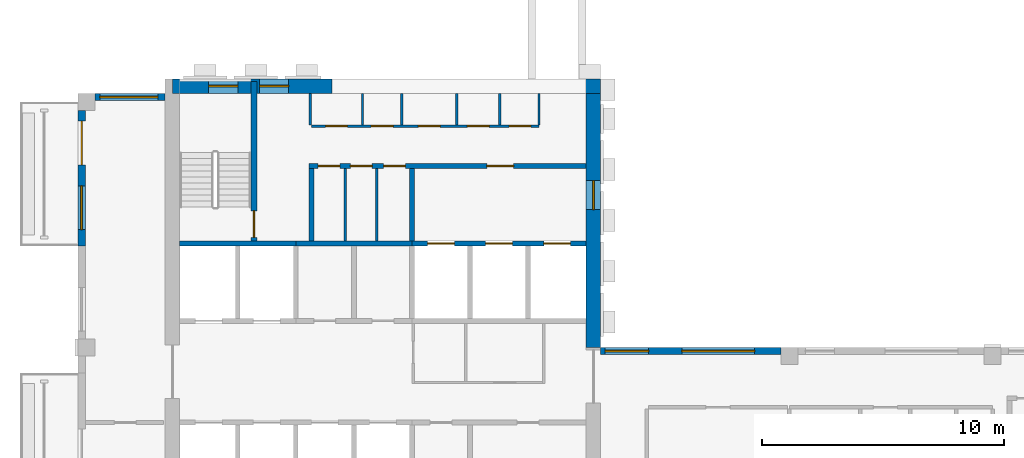
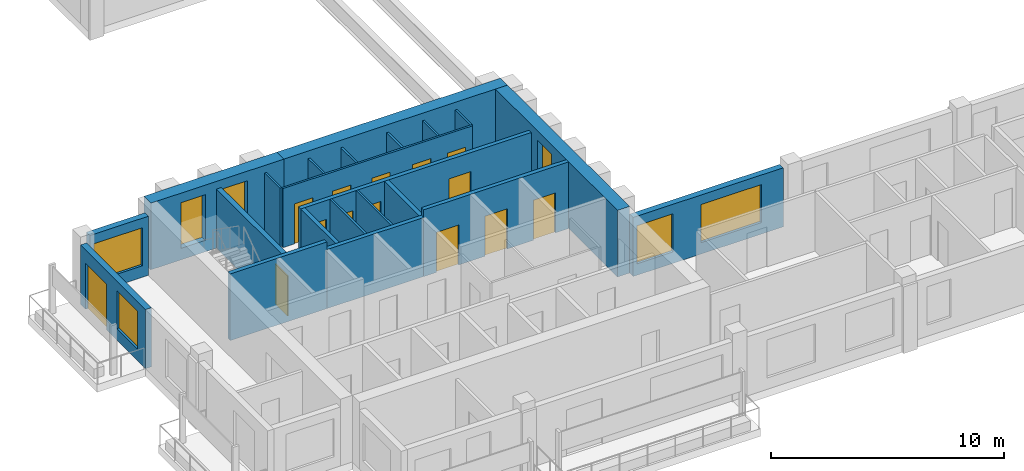
# One storey, part 3 of 9: 22 walls, 14 doors, 7 windows, 21 openings.
"""IFC4 building model written with IfcOpenShell, lengths in metres."""

from ifc_helpers import new_model, si_unit, direction, frame, frame_2d, origin, place, context, subcontext, project, spatial, rectangle, extrude, source, transform, mapped, material, layer, layer_set, type_object, element, fill, save


model = new_model("IFC4")

# Units and contexts
model_context = context("Model", 3, precision=1e-05, world=origin(), true_north=direction((0.0, 1.0)))
body_context = subcontext(model_context, "Body", "Model", "MODEL_VIEW")
ifc_project = project(units=[si_unit("LENGTHUNIT", "METRE"), si_unit("AREAUNIT", "SQUARE_METRE"), si_unit("VOLUMEUNIT", "CUBIC_METRE"), si_unit("PLANEANGLEUNIT", "RADIAN"), si_unit("MASSUNIT", "GRAM", prefix="KILO")], contexts=[model_context])

# Site, building, storey
site_placement = place(None, origin())
site = spatial("IfcSite", under=ifc_project, at=site_placement, CompositionType="ELEMENT")
building_placement = place(site_placement, origin())
building = spatial("IfcBuilding", under=site, at=building_placement, Name="Aurelian Terraces", CompositionType="ELEMENT")
storey_placement = place(building_placement, frame((0.0, 0.0, 312.5)))
storey = spatial("IfcBuildingStorey", under=building, at=storey_placement, Name="L72", CompositionType="ELEMENT", Elevation=312.5)

# Wall
ifc_material_1 = material(Name="Concrete fc' 55 MPa", Category="concrete")
ifc_layer_1 = layer(ifc_material_1, 0.6)
ifc_layer_set_1 = layer_set([ifc_layer_1], Name="CORE WALL 600 FC55")
wall_type_1 = type_object("IfcWallType", Name="CORE WALL 600 FC55", PredefinedType="SHEAR", material=ifc_layer_set_1)
shared_shape_1 = source(origin(), body_context, "Body", "SweptSolid", [
    extrude(rectangle(XDim=11.1, YDim=0.6, at=frame_2d((5.55, 0.0))), origin(), (0.0, 0.0, 1.0), 3.5),
])
wall_1_placement = place(storey_placement, frame((10.5, 21.3, 0.0), z_axis=(0.0, 0.0, 1.0), x_axis=(1.0, 0.0, 0.0)))
element("IfcWall", 1, at=wall_1_placement, inside=storey, type_object=wall_type_1, Name="Core wall N L72", PredefinedType="SHEAR", context=body_context, shape_type="MappedRepresentation", body=[
    mapped(shared_shape_1, transform((0.0, 0.0, 0.0), scale=1.0)),
])

# Wall, opening, window
shared_shape_2 = source(origin(), body_context, "Body", "SweptSolid", [
    extrude(rectangle(XDim=10.5, YDim=0.6, at=frame_2d((5.25, 0.0))), origin(), (0.0, 0.0, 1.0), 3.5),
])
wall_2_placement = place(storey_placement, frame((21.3, 10.5, 0.0), z_axis=(0.0, 0.0, 1.0), x_axis=(0.0, 1.0, 0.0)))
wall_2 = element("IfcWall", 2, at=wall_2_placement, inside=storey, type_object=wall_type_1, Name="Core wall E L72 exposed", PredefinedType="SHEAR", context=body_context, shape_type="MappedRepresentation", body=[
    mapped(shared_shape_2, transform((0.0, 0.0, 0.0), scale=1.0)),
])
shared_shape_3 = source(origin(), body_context, "Body", "SweptSolid", [
    extrude(rectangle(XDim=1.2, YDim=2.4, at=frame_2d((0.6, 1.2))), frame((0.0, 0.31, 0.0), z_axis=(0.0, -1.0, 0.0), x_axis=(1.0, 0.0, 0.0)), (0.0, 0.0, 1.0), 0.62),
])
opening_1_placement = place(wall_2_placement, frame((5.7, 0.0, 0.6)))
opening_1 = element("IfcOpeningElement", 3, at=opening_1_placement, cuts=wall_2, Name="Opening W-CL", PredefinedType="OPENING", context=body_context, shape_type="MappedRepresentation", body=[
    mapped(shared_shape_3, transform((0.0, 0.0, 0.0), scale=1.0)),
])
ifc_material_2 = material(Name="Fire-resisting glazing", Category="glass")
window_type_1 = type_object("IfcWindowType", Name="Core lobby window 1200x2400", PartitioningType="SINGLE_PANEL", PredefinedType="WINDOW", material=ifc_material_2)
shared_shape_4 = source(origin(), body_context, "Body", "SweptSolid", [
    extrude(rectangle(XDim=1.2, YDim=2.4, at=frame_2d((0.6, 1.2))), frame((0.0, 0.03, 0.0), z_axis=(0.0, -1.0, 0.0), x_axis=(1.0, 0.0, 0.0)), (0.0, 0.0, 1.0), 0.06),
])
window_1_placement = place(opening_1_placement, origin())
window_1 = element("IfcWindow", 4, at=window_1_placement, inside=storey, type_object=window_type_1, Name="Lobby window L72 E25", OverallHeight=2.4, OverallWidth=1.2, PartitioningType="SINGLE_PANEL", PredefinedType="WINDOW", context=body_context, shape_type="MappedRepresentation", body=[
    mapped(shared_shape_4, transform((0.0, 0.0, 0.0), scale=1.0)),
])
fill(opening_1, window_1)

# Wall, openings, windows
shared_shape_5 = source(origin(), body_context, "Body", "SweptSolid", [
    extrude(rectangle(XDim=6.6, YDim=0.6, at=frame_2d((3.3, 0.0))), origin(), (0.0, 0.0, 1.0), 3.5),
])
wall_3_placement = place(storey_placement, frame((3.9, 21.3, 0.0), z_axis=(0.0, 0.0, 1.0), x_axis=(1.0, 0.0, 0.0)))
wall_3 = element("IfcWall", 5, at=wall_3_placement, inside=storey, type_object=wall_type_1, Name="Core wall N L72 exposed", PredefinedType="SHEAR", context=body_context, shape_type="MappedRepresentation", body=[
    mapped(shared_shape_5, transform((0.0, 0.0, 0.0), scale=1.0)),
])
opening_2_placement = place(wall_3_placement, frame((1.5, 0.0, 0.6)))
opening_2 = element("IfcOpeningElement", 6, at=opening_2_placement, cuts=wall_3, Name="Opening W-CL", PredefinedType="OPENING", context=body_context, shape_type="MappedRepresentation", body=[
    mapped(shared_shape_3, transform((0.0, 0.0, 0.0), scale=1.0)),
])
opening_3_placement = place(wall_3_placement, frame((3.6, 0.0, 0.6)))
opening_3 = element("IfcOpeningElement", 7, at=opening_3_placement, cuts=wall_3, Name="Opening W-CL", PredefinedType="OPENING", context=body_context, shape_type="MappedRepresentation", body=[
    mapped(shared_shape_3, transform((0.0, 0.0, 0.0), scale=1.0)),
])
window_2_placement = place(opening_2_placement, origin())
window_2 = element("IfcWindow", 8, at=window_2_placement, inside=storey, type_object=window_type_1, Name="Lobby window L72 N26", OverallHeight=2.4, OverallWidth=1.2, PartitioningType="SINGLE_PANEL", PredefinedType="WINDOW", context=body_context, shape_type="MappedRepresentation", body=[
    mapped(shared_shape_4, transform((0.0, 0.0, 0.0), scale=1.0)),
])
fill(opening_2, window_2)
window_3_placement = place(opening_3_placement, origin())
window_3 = element("IfcWindow", 9, at=window_3_placement, inside=storey, type_object=window_type_1, Name="Lobby window L72 N27", OverallHeight=2.4, OverallWidth=1.2, PartitioningType="SINGLE_PANEL", PredefinedType="WINDOW", context=body_context, shape_type="MappedRepresentation", body=[
    mapped(shared_shape_4, transform((0.0, 0.0, 0.0), scale=1.0)),
])
fill(opening_3, window_3)

ifc_material_3 = material(Name="Terracotta rainscreen cladding", Category="masonry")
ifc_layer_2 = layer(ifc_material_3, 0.3)
ifc_layer_set_2 = layer_set([ifc_layer_2], Name="EW-300")
wall_type_2 = type_object("IfcWallType", Name="EW-300", PredefinedType="STANDARD", material=ifc_layer_set_2)
shared_shape_6 = source(origin(), body_context, "Body", "SweptSolid", [
    extrude(rectangle(XDim=7.45, YDim=0.3, at=frame_2d((3.725, 0.0))), origin(), (0.0, 0.0, 1.0), 3.1),
])
wall_4_placement = place(storey_placement, frame((29.05, 10.35, 0.0), z_axis=(0.0, 0.0, 1.0), x_axis=(-1.0, 0.0, 0.0)))
wall_4 = element("IfcWall", 10, at=wall_4_placement, inside=storey, type_object=wall_type_2, Name="External wall L72 F03.8", PredefinedType="STANDARD", context=body_context, shape_type="MappedRepresentation", body=[
    mapped(shared_shape_6, transform((0.0, 0.0, 0.0), scale=1.0)),
])
shared_shape_7 = source(origin(), body_context, "Body", "SweptSolid", [
    extrude(rectangle(XDim=3.0, YDim=2.0, at=frame_2d((1.5, 1.0))), frame((0.0, 0.16, 0.0), z_axis=(0.0, -1.0, 0.0), x_axis=(1.0, 0.0, 0.0)), (0.0, 0.0, 1.0), 0.32),
])
opening_4_placement = place(wall_4_placement, frame((1.09, 0.0, 0.6)))
opening_4 = element("IfcOpeningElement", 11, at=opening_4_placement, cuts=wall_4, Name="Opening W3020", PredefinedType="OPENING", context=body_context, shape_type="MappedRepresentation", body=[
    mapped(shared_shape_7, transform((0.0, 0.0, 0.0), scale=1.0)),
])
shared_shape_8 = source(origin(), body_context, "Body", "SweptSolid", [
    extrude(rectangle(XDim=1.8, YDim=2.0, at=frame_2d((0.9, 1.0))), frame((0.0, 0.16, 0.0), z_axis=(0.0, -1.0, 0.0), x_axis=(1.0, 0.0, 0.0)), (0.0, 0.0, 1.0), 0.32),
])
opening_5_placement = place(wall_4_placement, frame((5.47, 0.0, 0.6)))
opening_5 = element("IfcOpeningElement", 12, at=opening_5_placement, cuts=wall_4, Name="Opening W1820", PredefinedType="OPENING", context=body_context, shape_type="MappedRepresentation", body=[
    mapped(shared_shape_8, transform((0.0, 0.0, 0.0), scale=1.0)),
])
ifc_material_4 = material(Name="Clear glazing", Category="glass")
window_type_2 = type_object("IfcWindowType", Name="W-3000x2000", PartitioningType="SINGLE_PANEL", PredefinedType="WINDOW", material=ifc_material_4)
shared_shape_9 = source(origin(), body_context, "Body", "SweptSolid", [
    extrude(rectangle(XDim=3.0, YDim=2.0, at=frame_2d((1.5, 1.0))), frame((0.0, 0.03, 0.0), z_axis=(0.0, -1.0, 0.0), x_axis=(1.0, 0.0, 0.0)), (0.0, 0.0, 1.0), 0.06),
])
window_4_placement = place(opening_4_placement, origin())
window_4 = element("IfcWindow", 13, at=window_4_placement, inside=storey, type_object=window_type_2, Name="Window L72 L72-F03-08-5", OverallHeight=2.0, OverallWidth=3.0, PartitioningType="SINGLE_PANEL", PredefinedType="WINDOW", context=body_context, shape_type="MappedRepresentation", body=[
    mapped(shared_shape_9, transform((0.0, 0.0, 0.0), scale=1.0)),
])
fill(opening_4, window_4)
window_type_3 = type_object("IfcWindowType", Name="W-1800x2000", PartitioningType="SINGLE_PANEL", PredefinedType="WINDOW", material=ifc_material_4)
shared_shape_10 = source(origin(), body_context, "Body", "SweptSolid", [
    extrude(rectangle(XDim=1.8, YDim=2.0, at=frame_2d((0.9, 1.0))), frame((0.0, 0.03, 0.0), z_axis=(0.0, -1.0, 0.0), x_axis=(1.0, 0.0, 0.0)), (0.0, 0.0, 1.0), 0.06),
])
window_5_placement = place(opening_5_placement, origin())
window_5 = element("IfcWindow", 14, at=window_5_placement, inside=storey, type_object=window_type_3, Name="Window L72 L72-F03-08-6", OverallHeight=2.0, OverallWidth=1.8, PartitioningType="SINGLE_PANEL", PredefinedType="WINDOW", context=body_context, shape_type="MappedRepresentation", body=[
    mapped(shared_shape_10, transform((0.0, 0.0, 0.0), scale=1.0)),
])
fill(opening_5, window_5)

# Wall, opening, window
shared_shape_11 = source(origin(), body_context, "Body", "SweptSolid", [
    extrude(rectangle(XDim=2.9, YDim=0.3, at=frame_2d((1.45, 0.0))), origin(), (0.0, 0.0, 1.0), 3.1),
])
wall_5_placement = place(storey_placement, frame((3.6, 20.85, 0.0), z_axis=(0.0, 0.0, 1.0), x_axis=(-1.0, 0.0, 0.0)))
wall_5 = element("IfcWall", 15, at=wall_5_placement, inside=storey, type_object=wall_type_2, Name="External wall L72 F11.17", PredefinedType="STANDARD", context=body_context, shape_type="MappedRepresentation", body=[
    mapped(shared_shape_11, transform((0.0, 0.0, 0.0), scale=1.0)),
])
shared_shape_12 = source(origin(), body_context, "Body", "SweptSolid", [
    extrude(rectangle(XDim=2.4, YDim=2.0, at=frame_2d((1.2, 1.0))), frame((0.0, 0.16, 0.0), z_axis=(0.0, -1.0, 0.0), x_axis=(1.0, 0.0, 0.0)), (0.0, 0.0, 1.0), 0.32),
])
opening_6_placement = place(wall_5_placement, frame((0.3, 0.0, 0.6)))
opening_6 = element("IfcOpeningElement", 16, at=opening_6_placement, cuts=wall_5, Name="Opening W2420", PredefinedType="OPENING", context=body_context, shape_type="MappedRepresentation", body=[
    mapped(shared_shape_12, transform((0.0, 0.0, 0.0), scale=1.0)),
])
window_type_4 = type_object("IfcWindowType", Name="W-2400x2000", PartitioningType="SINGLE_PANEL", PredefinedType="WINDOW", material=ifc_material_4)
shared_shape_13 = source(origin(), body_context, "Body", "SweptSolid", [
    extrude(rectangle(XDim=2.4, YDim=2.0, at=frame_2d((1.2, 1.0))), frame((0.0, 0.03, 0.0), z_axis=(0.0, -1.0, 0.0), x_axis=(1.0, 0.0, 0.0)), (0.0, 0.0, 1.0), 0.06),
])
window_6_placement = place(opening_6_placement, origin())
window_6 = element("IfcWindow", 17, at=window_6_placement, inside=storey, type_object=window_type_4, Name="Window L72 L72-F11-17-0", OverallHeight=2.0, OverallWidth=2.4, PartitioningType="SINGLE_PANEL", PredefinedType="WINDOW", context=body_context, shape_type="MappedRepresentation", body=[
    mapped(shared_shape_13, transform((0.0, 0.0, 0.0), scale=1.0)),
])
fill(opening_6, window_6)

# Wall, openings, door, window
shared_shape_14 = source(origin(), body_context, "Body", "SweptSolid", [
    extrude(rectangle(XDim=5.6, YDim=0.3, at=frame_2d((2.8, 0.0))), origin(), (0.0, 0.0, 1.0), 3.1),
])
wall_6_placement = place(storey_placement, frame((0.15, 20.3, 0.0), z_axis=(0.0, 0.0, 1.0), x_axis=(0.0, -1.0, 0.0)))
wall_6 = element("IfcWall", 18, at=wall_6_placement, inside=storey, type_object=wall_type_2, Name="External wall L72 F12.18", PredefinedType="STANDARD", context=body_context, shape_type="MappedRepresentation", body=[
    mapped(shared_shape_14, transform((0.0, 0.0, 0.0), scale=1.0)),
])
shared_shape_15 = source(origin(), body_context, "Body", "SweptSolid", [
    extrude(rectangle(XDim=1.8, YDim=2.4, at=frame_2d((0.9, 1.2))), frame((0.0, 0.16, 0.0), z_axis=(0.0, -1.0, 0.0), x_axis=(1.0, 0.0, 0.0)), (0.0, 0.0, 1.0), 0.32),
])
opening_7_placement = place(wall_6_placement, frame((0.45, 0.0, 0.0)))
opening_7 = element("IfcOpeningElement", 19, at=opening_7_placement, cuts=wall_6, Name="Opening 87203", PredefinedType="OPENING", context=body_context, shape_type="MappedRepresentation", body=[
    mapped(shared_shape_15, transform((0.0, 0.0, 0.0), scale=1.0)),
])
opening_8_placement = place(wall_6_placement, frame((3.125, 0.0, 0.6)))
opening_8 = element("IfcOpeningElement", 20, at=opening_8_placement, cuts=wall_6, Name="Opening W1820", PredefinedType="OPENING", context=body_context, shape_type="MappedRepresentation", body=[
    mapped(shared_shape_8, transform((0.0, 0.0, 0.0), scale=1.0)),
])
door_type_1 = type_object("IfcDoorType", Name="BD-1800x2400", OperationType="SLIDING_TO_LEFT", PredefinedType="DOOR", material=ifc_material_4)
shared_shape_16 = source(origin(), body_context, "Body", "SweptSolid", [
    extrude(rectangle(XDim=1.8, YDim=2.4, at=frame_2d((0.9, 1.2))), frame((0.0, 0.025, 0.0), z_axis=(0.0, -1.0, 0.0), x_axis=(1.0, 0.0, 0.0)), (0.0, 0.0, 1.0), 0.05),
])
door_1_placement = place(opening_7_placement, origin())
door_1 = element("IfcDoor", 21, at=door_1_placement, inside=storey, type_object=door_type_1, Name="Balcony door L72 F12.18", OperationType="SLIDING_TO_LEFT", OverallHeight=2.4, OverallWidth=1.8, PredefinedType="DOOR", context=body_context, shape_type="MappedRepresentation", body=[
    mapped(shared_shape_16, transform((0.0, 0.0, 0.0), scale=1.0)),
])
fill(opening_7, door_1)
window_7_placement = place(opening_8_placement, origin())
window_7 = element("IfcWindow", 22, at=window_7_placement, inside=storey, type_object=window_type_3, Name="Window L72 L72-F12-18-1", OverallHeight=2.0, OverallWidth=1.8, PartitioningType="SINGLE_PANEL", PredefinedType="WINDOW", context=body_context, shape_type="MappedRepresentation", body=[
    mapped(shared_shape_10, transform((0.0, 0.0, 0.0), scale=1.0)),
])
fill(opening_8, window_7)

# Walls
ifc_material_5 = material(Name="Concrete fc' 40 MPa", Category="concrete")
ifc_layer_3 = layer(ifc_material_5, 0.2)
ifc_layer_set_3 = layer_set([ifc_layer_3], Name="Lift shaft wall 200")
wall_type_3 = type_object("IfcWallType", Name="Lift shaft wall 200", PredefinedType="SOLIDWALL", material=ifc_layer_set_3)
shared_shape_17 = source(origin(), body_context, "Body", "SweptSolid", [
    extrude(rectangle(XDim=4.8, YDim=0.2, at=frame_2d((2.4, 0.0))), origin(), (0.0, 0.0, 1.0), 3.5),
])
wall_7_placement = place(storey_placement, frame((4.2, 14.8, 0.0), z_axis=(0.0, 0.0, 1.0), x_axis=(1.0, 0.0, 0.0)))
element("IfcWall", 23, at=wall_7_placement, inside=storey, type_object=wall_type_3, Name="L72 core wall CF-BB1", PredefinedType="SOLIDWALL", context=body_context, shape_type="MappedRepresentation", body=[
    mapped(shared_shape_17, transform((0.0, 0.0, 0.0), scale=1.0)),
])
shared_shape_18 = source(origin(), body_context, "Body", "SweptSolid", [
    extrude(rectangle(XDim=4.8, YDim=0.2, at=frame_2d((2.4, 0.0))), origin(), (0.0, 0.0, 1.0), 3.1),
])
wall_8_placement = place(storey_placement, frame((9.0, 14.8, 0.0), z_axis=(0.0, 0.0, 1.0), x_axis=(1.0, 0.0, 0.0)))
element("IfcWall", 24, at=wall_8_placement, inside=storey, type_object=wall_type_3, Name="L72 core wall CF-BB2", PredefinedType="SOLIDWALL", context=body_context, shape_type="MappedRepresentation", body=[
    mapped(shared_shape_18, transform((0.0, 0.0, 0.0), scale=1.0)),
])

# Wall, openings, doors
shared_shape_19 = source(origin(), body_context, "Body", "SweptSolid", [
    extrude(rectangle(XDim=7.2, YDim=0.2, at=frame_2d((3.6, 0.0))), origin(), (0.0, 0.0, 1.0), 3.5),
])
wall_9_placement = place(storey_placement, frame((13.8, 14.8, 0.0), z_axis=(0.0, 0.0, 1.0), x_axis=(1.0, 0.0, 0.0)))
wall_9 = element("IfcWall", 25, at=wall_9_placement, inside=storey, type_object=wall_type_3, Name="L72 core wall CF-BB3", PredefinedType="SOLIDWALL", context=body_context, shape_type="MappedRepresentation", body=[
    mapped(shared_shape_19, transform((0.0, 0.0, 0.0), scale=1.0)),
])
shared_shape_20 = source(origin(), body_context, "Body", "SweptSolid", [
    extrude(rectangle(XDim=1.1, YDim=2.1, at=frame_2d((0.55, 1.05))), frame((0.0, 0.11, 0.0), z_axis=(0.0, -1.0, 0.0), x_axis=(1.0, 0.0, 0.0)), (0.0, 0.0, 1.0), 0.22),
])
opening_9_placement = place(wall_9_placement, frame((0.65, 0.0, 0.0)))
opening_9 = element("IfcOpeningElement", 26, at=opening_9_placement, cuts=wall_9, Name="Opening 67510", PredefinedType="OPENING", context=body_context, shape_type="MappedRepresentation", body=[
    mapped(shared_shape_20, transform((0.0, 0.0, 0.0), scale=1.0)),
])
opening_10_placement = place(wall_9_placement, frame((3.05, 0.0, 0.0)))
opening_10 = element("IfcOpeningElement", 27, at=opening_10_placement, cuts=wall_9, Name="Opening 67511", PredefinedType="OPENING", context=body_context, shape_type="MappedRepresentation", body=[
    mapped(shared_shape_20, transform((0.0, 0.0, 0.0), scale=1.0)),
])
opening_11_placement = place(wall_9_placement, frame((5.45, 0.0, 0.0)))
opening_11 = element("IfcOpeningElement", 28, at=opening_11_placement, cuts=wall_9, Name="Opening 67512", PredefinedType="OPENING", context=body_context, shape_type="MappedRepresentation", body=[
    mapped(shared_shape_20, transform((0.0, 0.0, 0.0), scale=1.0)),
])
ifc_material_6 = material(Name="Stainless steel", Category="steel")
door_type_2 = type_object("IfcDoorType", Name="Lift landing door 1100x2100", OperationType="SLIDING_TO_LEFT", PredefinedType="DOOR", material=ifc_material_6)
shared_shape_21 = source(origin(), body_context, "Body", "SweptSolid", [
    extrude(rectangle(XDim=1.1, YDim=2.1, at=frame_2d((0.55, 1.05))), frame((0.0, 0.025, 0.0), z_axis=(0.0, -1.0, 0.0), x_axis=(1.0, 0.0, 0.0)), (0.0, 0.0, 1.0), 0.05),
])
door_2_placement = place(opening_9_placement, origin())
door_2 = element("IfcDoor", 29, at=door_2_placement, inside=storey, type_object=door_type_2, Name="Lift landing door F1 L72", OperationType="SLIDING_TO_LEFT", OverallHeight=2.1, OverallWidth=1.1, PredefinedType="DOOR", context=body_context, shape_type="MappedRepresentation", body=[
    mapped(shared_shape_21, transform((0.0, 0.0, 0.0), scale=1.0)),
])
fill(opening_9, door_2)
door_3_placement = place(opening_10_placement, origin())
door_3 = element("IfcDoor", 30, at=door_3_placement, inside=storey, type_object=door_type_2, Name="Lift landing door F2 L72", OperationType="SLIDING_TO_LEFT", OverallHeight=2.1, OverallWidth=1.1, PredefinedType="DOOR", context=body_context, shape_type="MappedRepresentation", body=[
    mapped(shared_shape_21, transform((0.0, 0.0, 0.0), scale=1.0)),
])
fill(opening_10, door_3)
door_4_placement = place(opening_11_placement, origin())
door_4 = element("IfcDoor", 31, at=door_4_placement, inside=storey, type_object=door_type_2, Name="Lift landing door F3 L72", OperationType="SLIDING_TO_LEFT", OverallHeight=2.1, OverallWidth=1.1, PredefinedType="DOOR", context=body_context, shape_type="MappedRepresentation", body=[
    mapped(shared_shape_21, transform((0.0, 0.0, 0.0), scale=1.0)),
])
fill(opening_11, door_4)

# Walls
ifc_material_7 = material(Name="Gypsum board on steel studs", Category="steel")
ifc_layer_4 = layer(ifc_material_7, 0.2)
ifc_layer_set_4 = layer_set([ifc_layer_4], Name="Core partition 200")
wall_type_4 = type_object("IfcWallType", Name="Core partition 200", PredefinedType="PARTITIONING", material=ifc_layer_set_4)
shared_shape_22 = source(origin(), body_context, "Body", "SweptSolid", [
    extrude(rectangle(XDim=3.0, YDim=0.2, at=frame_2d((1.5, 0.0))), origin(), (0.0, 0.0, 1.0), 3.1),
])
for number, where, z_axis, x_axis, name in (
    (32, (9.65, 14.9, 0.0), (0.0, 0.0, 1.0), (0.0, 1.0, 0.0), "L72 core wall CP-VEST"),
    (33, (13.8, 14.9, 0.0), (0.0, 0.0, 1.0), (0.0, 1.0, 0.0), "L72 core wall CP-FFL"),
):
    element("IfcWall", number, at=place(storey_placement, frame(where, z_axis=z_axis, x_axis=x_axis)), inside=storey, type_object=wall_type_4, Name=name, PredefinedType="PARTITIONING", context=body_context, shape_type="MappedRepresentation", body=[
        mapped(shared_shape_22, transform((0.0, 0.0, 0.0), scale=1.0)),
    ])

# Wall, opening, door
ifc_layer_5 = layer(ifc_material_5, 0.25)
ifc_layer_set_5 = layer_set([ifc_layer_5], Name="Stair enclosure wall 250")
wall_type_5 = type_object("IfcWallType", Name="Stair enclosure wall 250", PredefinedType="SOLIDWALL", material=ifc_layer_set_5)
shared_shape_23 = source(origin(), body_context, "Body", "SweptSolid", [
    extrude(rectangle(XDim=6.6, YDim=0.25, at=frame_2d((3.3, 0.0))), origin(), (0.0, 0.0, 1.0), 3.1),
])
wall_10_placement = place(storey_placement, frame((7.275, 14.9, 0.0), z_axis=(0.0, 0.0, 1.0), x_axis=(0.0, 1.0, 0.0)))
wall_10 = element("IfcWall", 34, at=wall_10_placement, inside=storey, type_object=wall_type_5, Name="L72 core wall ST-S1-E", PredefinedType="SOLIDWALL", context=body_context, shape_type="MappedRepresentation", body=[
    mapped(shared_shape_23, transform((0.0, 0.0, 0.0), scale=1.0)),
])
shared_shape_24 = source(origin(), body_context, "Body", "SweptSolid", [
    extrude(rectangle(XDim=1.1, YDim=2.1, at=frame_2d((0.55, 1.05))), frame((0.0, 0.135, 0.0), z_axis=(0.0, -1.0, 0.0), x_axis=(1.0, 0.0, 0.0)), (0.0, 0.0, 1.0), 0.27),
])
opening_12_placement = place(wall_10_placement, frame((0.15, 0.0, 0.0)))
opening_12 = element("IfcOpeningElement", 35, at=opening_12_placement, cuts=wall_10, Name="Opening 67513", PredefinedType="OPENING", context=body_context, shape_type="MappedRepresentation", body=[
    mapped(shared_shape_24, transform((0.0, 0.0, 0.0), scale=1.0)),
])
ifc_material_8 = material(Name="Steel door leaf", Category="steel")
door_type_3 = type_object("IfcDoorType", Name="Core fire door 1100x2100", OperationType="SINGLE_SWING_LEFT", PredefinedType="DOOR", material=ifc_material_8)
door_5_placement = place(opening_12_placement, origin())
door_5 = element("IfcDoor", 36, at=door_5_placement, inside=storey, type_object=door_type_3, Name="Stair door 67513", OperationType="SINGLE_SWING_LEFT", OverallHeight=2.1, OverallWidth=1.1, PredefinedType="DOOR", context=body_context, shape_type="MappedRepresentation", body=[
    mapped(shared_shape_21, transform((0.0, 0.0, 0.0), scale=1.0)),
])
fill(opening_12, door_5)

# Wall, openings, doors
shared_shape_25 = source(origin(), body_context, "Body", "SweptSolid", [
    extrude(rectangle(XDim=11.45, YDim=0.2, at=frame_2d((5.725, 0.0))), origin(), (0.0, 0.0, 1.0), 3.1),
])
wall_11_placement = place(storey_placement, frame((9.55, 18.0, 0.0), z_axis=(0.0, 0.0, 1.0), x_axis=(1.0, 0.0, 0.0)))
wall_11 = element("IfcWall", 37, at=wall_11_placement, inside=storey, type_object=wall_type_4, Name="L72 core wall CP-NORTH", PredefinedType="PARTITIONING", context=body_context, shape_type="MappedRepresentation", body=[
    mapped(shared_shape_25, transform((0.0, 0.0, 0.0), scale=1.0)),
])
shared_shape_26 = source(origin(), body_context, "Body", "SweptSolid", [
    extrude(rectangle(XDim=0.9, YDim=2.1, at=frame_2d((0.45, 1.05))), frame((0.0, 0.11, 0.0), z_axis=(0.0, -1.0, 0.0), x_axis=(1.0, 0.0, 0.0)), (0.0, 0.0, 1.0), 0.22),
])
opening_13_placement = place(wall_11_placement, frame((0.375, 0.0, 0.0)))
opening_13 = element("IfcOpeningElement", 38, at=opening_13_placement, cuts=wall_11, Name="Opening 67514", PredefinedType="OPENING", context=body_context, shape_type="MappedRepresentation", body=[
    mapped(shared_shape_26, transform((0.0, 0.0, 0.0), scale=1.0)),
])
opening_14_placement = place(wall_11_placement, frame((1.7, 0.0, 0.0)))
opening_14 = element("IfcOpeningElement", 39, at=opening_14_placement, cuts=wall_11, Name="Opening 67515", PredefinedType="OPENING", context=body_context, shape_type="MappedRepresentation", body=[
    mapped(shared_shape_26, transform((0.0, 0.0, 0.0), scale=1.0)),
])
opening_15_placement = place(wall_11_placement, frame((3.075, 0.0, 0.0)))
opening_15 = element("IfcOpeningElement", 40, at=opening_15_placement, cuts=wall_11, Name="Opening 67516", PredefinedType="OPENING", context=body_context, shape_type="MappedRepresentation", body=[
    mapped(shared_shape_26, transform((0.0, 0.0, 0.0), scale=1.0)),
])
opening_16_placement = place(wall_11_placement, frame((7.35, 0.0, 0.0)))
opening_16 = element("IfcOpeningElement", 41, at=opening_16_placement, cuts=wall_11, Name="Opening 67517", PredefinedType="OPENING", context=body_context, shape_type="MappedRepresentation", body=[
    mapped(shared_shape_20, transform((0.0, 0.0, 0.0), scale=1.0)),
])
door_type_4 = type_object("IfcDoorType", Name="Core riser door 900x2100 right", OperationType="SINGLE_SWING_RIGHT", PredefinedType="DOOR", material=ifc_material_8)
shared_shape_27 = source(origin(), body_context, "Body", "SweptSolid", [
    extrude(rectangle(XDim=0.9, YDim=2.1, at=frame_2d((0.45, 1.05))), frame((0.0, 0.025, 0.0), z_axis=(0.0, -1.0, 0.0), x_axis=(1.0, 0.0, 0.0)), (0.0, 0.0, 1.0), 0.05),
])
door_6_placement = place(opening_13_placement, origin())
door_6 = element("IfcDoor", 42, at=door_6_placement, inside=storey, type_object=door_type_4, Name="Room door 67514", OperationType="SINGLE_SWING_RIGHT", OverallHeight=2.1, OverallWidth=0.9, PredefinedType="DOOR", context=body_context, shape_type="MappedRepresentation", body=[
    mapped(shared_shape_27, transform((0.0, 0.0, 0.0), scale=1.0)),
])
fill(opening_13, door_6)
door_type_5 = type_object("IfcDoorType", Name="Core service door 900x2100", OperationType="SINGLE_SWING_LEFT", PredefinedType="DOOR", material=ifc_material_8)
door_7_placement = place(opening_14_placement, origin())
door_7 = element("IfcDoor", 43, at=door_7_placement, inside=storey, type_object=door_type_5, Name="Room door 67515", OperationType="SINGLE_SWING_LEFT", OverallHeight=2.1, OverallWidth=0.9, PredefinedType="DOOR", context=body_context, shape_type="MappedRepresentation", body=[
    mapped(shared_shape_27, transform((0.0, 0.0, 0.0), scale=1.0)),
])
fill(opening_14, door_7)
door_type_6 = type_object("IfcDoorType", Name="Core service door 900x2100 right", OperationType="SINGLE_SWING_RIGHT", PredefinedType="DOOR", material=ifc_material_8)
door_8_placement = place(opening_15_placement, origin())
door_8 = element("IfcDoor", 44, at=door_8_placement, inside=storey, type_object=door_type_6, Name="Room door 67516", OperationType="SINGLE_SWING_RIGHT", OverallHeight=2.1, OverallWidth=0.9, PredefinedType="DOOR", context=body_context, shape_type="MappedRepresentation", body=[
    mapped(shared_shape_27, transform((0.0, 0.0, 0.0), scale=1.0)),
])
fill(opening_15, door_8)
door_9_placement = place(opening_16_placement, origin())
door_9 = element("IfcDoor", 45, at=door_9_placement, inside=storey, type_object=door_type_3, Name="Ff lobby door 67517", OperationType="SINGLE_SWING_LEFT", OverallHeight=2.1, OverallWidth=1.1, PredefinedType="DOOR", context=body_context, shape_type="MappedRepresentation", body=[
    mapped(shared_shape_21, transform((0.0, 0.0, 0.0), scale=1.0)),
])
fill(opening_16, door_9)

# Walls
ifc_layer_6 = layer(ifc_material_7, 0.1)
ifc_layer_set_6 = layer_set([ifc_layer_6], Name="Core partition 100")
wall_type_6 = type_object("IfcWallType", Name="Core partition 100", PredefinedType="PARTITIONING", material=ifc_layer_set_6)
shared_shape_28 = source(origin(), body_context, "Body", "SweptSolid", [
    extrude(rectangle(XDim=3.0, YDim=0.1, at=frame_2d((1.5, 0.0))), origin(), (0.0, 0.0, 1.0), 3.1),
])
for number, where, z_axis, x_axis, name in (
    (46, (11.05, 14.9, 0.0), (0.0, 0.0, 1.0), (0.0, 1.0, 0.0), "L72 core wall CP-SV1"),
    (47, (12.35, 14.9, 0.0), (0.0, 0.0, 1.0), (0.0, 1.0, 0.0), "L72 core wall CP-SV2"),
):
    element("IfcWall", number, at=place(storey_placement, frame(where, z_axis=z_axis, x_axis=x_axis)), inside=storey, type_object=wall_type_6, Name=name, PredefinedType="PARTITIONING", context=body_context, shape_type="MappedRepresentation", body=[
        mapped(shared_shape_28, transform((0.0, 0.0, 0.0), scale=1.0)),
    ])
shared_shape_29 = source(origin(), body_context, "Body", "SweptSolid", [
    extrude(rectangle(XDim=1.3, YDim=0.1, at=frame_2d((0.65, 0.0))), origin(), (0.0, 0.0, 1.0), 3.1),
])
for number, where, z_axis, x_axis, name in (
    (48, (11.7569, 19.7, 0.0), (0.0, 0.0, 1.0), (0.0, 1.0, 0.0), "L72 core wall SV-NP1"),
    (49, (13.3776, 19.7, 0.0), (0.0, 0.0, 1.0), (0.0, 1.0, 0.0), "L72 core wall SV-NP2"),
    (50, (15.6466, 19.7, 0.0), (0.0, 0.0, 1.0), (0.0, 1.0, 0.0), "L72 core wall SV-NP3"),
    (51, (17.4293, 19.7, 0.0), (0.0, 0.0, 1.0), (0.0, 1.0, 0.0), "L72 core wall SV-NP4"),
    (52, (9.6, 19.7, 0.0), (0.0, 0.0, 1.0), (0.0, 1.0, 0.0), "L72 core wall SV-NW0"),
    (53, (19.05, 19.7, 0.0), (0.0, 0.0, 1.0), (0.0, 1.0, 0.0), "L72 core wall SV-NW1"),
):
    element("IfcWall", number, at=place(storey_placement, frame(where, z_axis=z_axis, x_axis=x_axis)), inside=storey, type_object=wall_type_6, Name=name, PredefinedType="PARTITIONING", context=body_context, shape_type="MappedRepresentation", body=[
        mapped(shared_shape_29, transform((0.0, 0.0, 0.0), scale=1.0)),
    ])

# Wall, openings, doors
shared_shape_30 = source(origin(), body_context, "Body", "SweptSolid", [
    extrude(rectangle(XDim=9.4, YDim=0.1, at=frame_2d((4.7, 0.0))), origin(), (0.0, 0.0, 1.0), 3.1),
])
wall_12_placement = place(storey_placement, frame((9.65, 19.65, 0.0), z_axis=(0.0, 0.0, 1.0), x_axis=(1.0, 0.0, 0.0)))
wall_12 = element("IfcWall", 54, at=wall_12_placement, inside=storey, type_object=wall_type_6, Name="L72 core wall SV-N1", PredefinedType="PARTITIONING", context=body_context, shape_type="MappedRepresentation", body=[
    mapped(shared_shape_30, transform((0.0, 0.0, 0.0), scale=1.0)),
])
shared_shape_31 = source(origin(), body_context, "Body", "SweptSolid", [
    extrude(rectangle(XDim=0.9, YDim=2.1, at=frame_2d((0.45, 1.05))), frame((0.0, 0.06, 0.0), z_axis=(0.0, -1.0, 0.0), x_axis=(1.0, 0.0, 0.0)), (0.0, 0.0, 1.0), 0.12),
])
opening_17_placement = place(wall_12_placement, frame((0.5784, 0.0, 0.0)))
opening_17 = element("IfcOpeningElement", 55, at=opening_17_placement, cuts=wall_12, Name="Opening 67518", PredefinedType="OPENING", context=body_context, shape_type="MappedRepresentation", body=[
    mapped(shared_shape_31, transform((0.0, 0.0, 0.0), scale=1.0)),
])
opening_18_placement = place(wall_12_placement, frame((2.4673, 0.0, 0.0)))
opening_18 = element("IfcOpeningElement", 56, at=opening_18_placement, cuts=wall_12, Name="Opening 67519", PredefinedType="OPENING", context=body_context, shape_type="MappedRepresentation", body=[
    mapped(shared_shape_31, transform((0.0, 0.0, 0.0), scale=1.0)),
])
opening_19_placement = place(wall_12_placement, frame((4.4121, 0.0, 0.0)))
opening_19 = element("IfcOpeningElement", 57, at=opening_19_placement, cuts=wall_12, Name="Opening 67520", PredefinedType="OPENING", context=body_context, shape_type="MappedRepresentation", body=[
    mapped(shared_shape_31, transform((0.0, 0.0, 0.0), scale=1.0)),
])
opening_20_placement = place(wall_12_placement, frame((6.438, 0.0, 0.0)))
opening_20 = element("IfcOpeningElement", 58, at=opening_20_placement, cuts=wall_12, Name="Opening 67521", PredefinedType="OPENING", context=body_context, shape_type="MappedRepresentation", body=[
    mapped(shared_shape_31, transform((0.0, 0.0, 0.0), scale=1.0)),
])
opening_21_placement = place(wall_12_placement, frame((8.1646, 0.0, 0.0)))
opening_21 = element("IfcOpeningElement", 59, at=opening_21_placement, cuts=wall_12, Name="Opening 67522", PredefinedType="OPENING", context=body_context, shape_type="MappedRepresentation", body=[
    mapped(shared_shape_31, transform((0.0, 0.0, 0.0), scale=1.0)),
])
door_10_placement = place(opening_17_placement, origin())
door_10 = element("IfcDoor", 60, at=door_10_placement, inside=storey, type_object=door_type_6, Name="Room door 67518", OperationType="SINGLE_SWING_RIGHT", OverallHeight=2.1, OverallWidth=0.9, PredefinedType="DOOR", context=body_context, shape_type="MappedRepresentation", body=[
    mapped(shared_shape_27, transform((0.0, 0.0, 0.0), scale=1.0)),
])
fill(opening_17, door_10)
door_11_placement = place(opening_18_placement, origin())
door_11 = element("IfcDoor", 61, at=door_11_placement, inside=storey, type_object=door_type_5, Name="Room door 67519", OperationType="SINGLE_SWING_LEFT", OverallHeight=2.1, OverallWidth=0.9, PredefinedType="DOOR", context=body_context, shape_type="MappedRepresentation", body=[
    mapped(shared_shape_27, transform((0.0, 0.0, 0.0), scale=1.0)),
])
fill(opening_18, door_11)
door_12_placement = place(opening_19_placement, origin())
door_12 = element("IfcDoor", 62, at=door_12_placement, inside=storey, type_object=door_type_6, Name="Room door 67520", OperationType="SINGLE_SWING_RIGHT", OverallHeight=2.1, OverallWidth=0.9, PredefinedType="DOOR", context=body_context, shape_type="MappedRepresentation", body=[
    mapped(shared_shape_27, transform((0.0, 0.0, 0.0), scale=1.0)),
])
fill(opening_19, door_12)
door_13_placement = place(opening_20_placement, origin())
door_13 = element("IfcDoor", 63, at=door_13_placement, inside=storey, type_object=door_type_5, Name="Room door 67521", OperationType="SINGLE_SWING_LEFT", OverallHeight=2.1, OverallWidth=0.9, PredefinedType="DOOR", context=body_context, shape_type="MappedRepresentation", body=[
    mapped(shared_shape_27, transform((0.0, 0.0, 0.0), scale=1.0)),
])
fill(opening_20, door_13)
door_14_placement = place(opening_21_placement, origin())
door_14 = element("IfcDoor", 64, at=door_14_placement, inside=storey, type_object=door_type_6, Name="Room door 67522", OperationType="SINGLE_SWING_RIGHT", OverallHeight=2.1, OverallWidth=0.9, PredefinedType="DOOR", context=body_context, shape_type="MappedRepresentation", body=[
    mapped(shared_shape_27, transform((0.0, 0.0, 0.0), scale=1.0)),
])
fill(opening_21, door_14)

save(model, "model.ifc")
